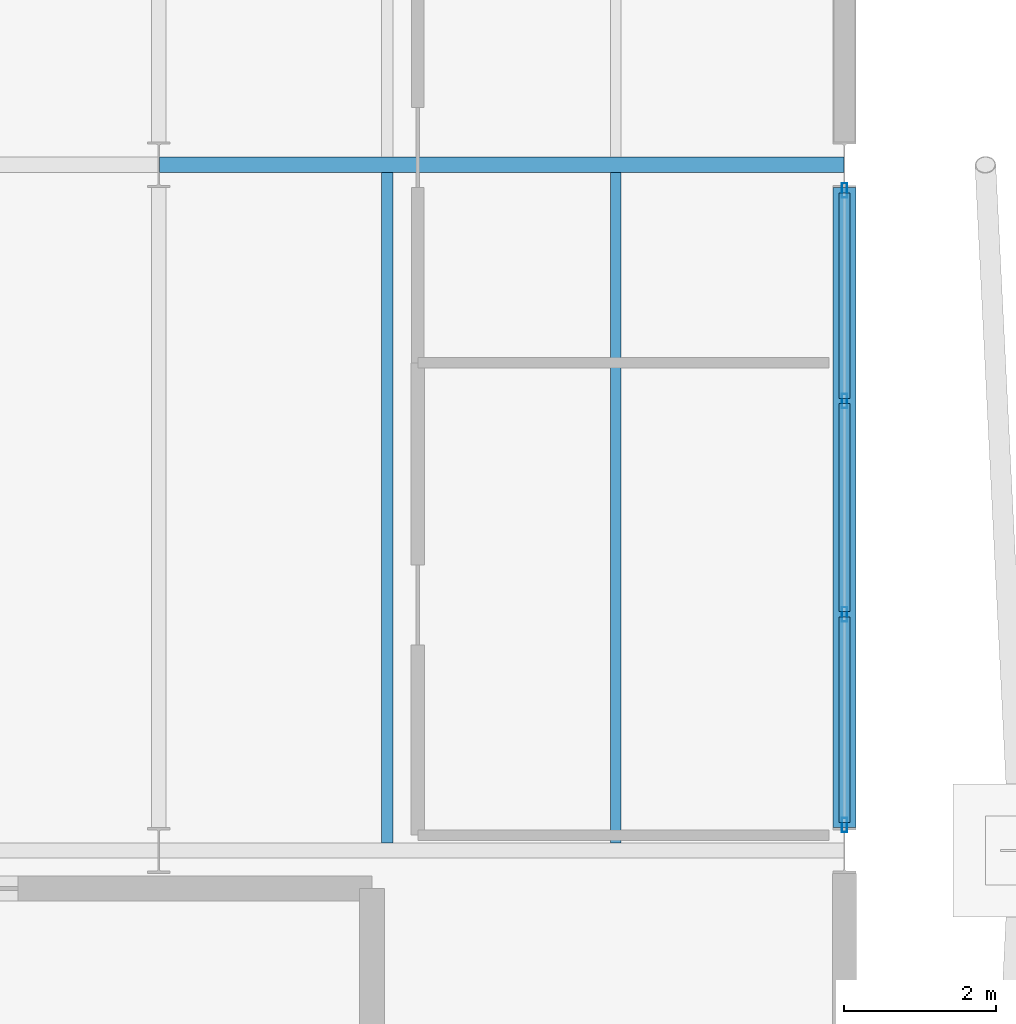
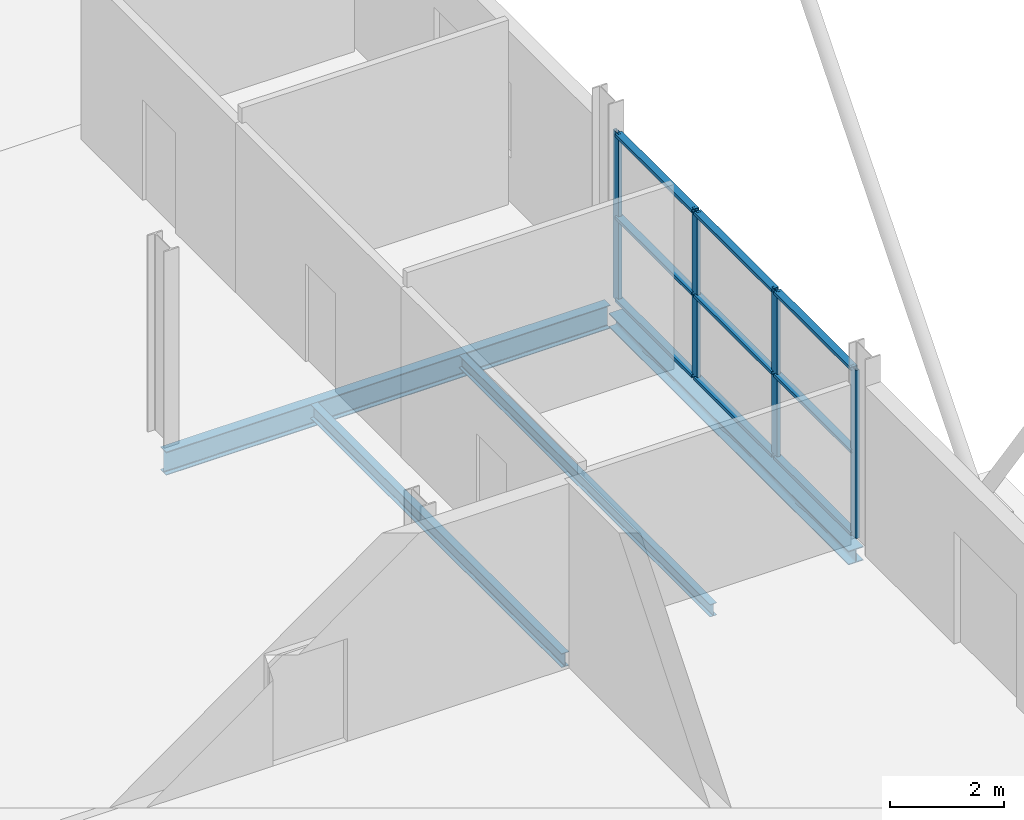
# One storey, part 89 of 140: 13 members, 4 beams, 1 element without a shape of its own.
"""IFC4 building model written with IfcOpenShell, lengths in metres."""

from ifc_helpers import new_model, si_unit, direction, frame, origin, origin_2d, place, context, subcontext, project, spatial, hollow_rectangle, i_section, extrude, material, layer, layer_set, material_profile, profile_set, type_object, element, aggregate, save


model = new_model("IFC4")

# Units and contexts
model_context = context("Model", 3, precision=1e-05, world=origin(), true_north=direction((0.0, 1.0)))
body_context = subcontext(model_context, "Body", "Model", "MODEL_VIEW")
ifc_project = project(units=[si_unit("LENGTHUNIT", "METRE"), si_unit("AREAUNIT", "SQUARE_METRE"), si_unit("VOLUMEUNIT", "CUBIC_METRE"), si_unit("PLANEANGLEUNIT", "RADIAN"), si_unit("MASSUNIT", "GRAM", prefix="KILO")], contexts=[model_context])

# Site, building, storey
site_placement = place(None, origin())
site = spatial("IfcSite", under=ifc_project, at=site_placement, CompositionType="ELEMENT")
building_placement = place(site_placement, origin())
building = spatial("IfcBuilding", under=site, at=building_placement, Name="Deido Ridge Mobility Hub", CompositionType="ELEMENT")
storey_placement = place(building_placement, origin())
storey = spatial("IfcBuildingStorey", under=building, at=storey_placement, Name="L00", CompositionType="ELEMENT", Elevation=0.0)

# Beams
ifc_material_1 = material(Name="Steel S355J2 EN 10025-2", Category="steel")
ifc_material_profile_1 = material_profile(ifc_material_1, i_section(OverallWidth=0.199951171875, OverallDepth=0.5, WebThickness=0.01025390625, FlangeThickness=0.01611328125, FilletRadius=0.02099609375, at=origin_2d()), Name="IPE 500")
ifc_profile_set_1 = profile_set([ifc_material_profile_1], Name="Steel S355J2 EN 10025-2")
beam_type_1 = type_object("IfcBeamType", Name="BM-IPE500", PredefinedType="BEAM", material=ifc_profile_set_1)
beam_1_placement = place(storey_placement, frame((171.0078125, 27.0, -0.510009765625), z_axis=(1.0, 0.0, 0.0), x_axis=(0.0, 1.0, 0.0)))
element("IfcBeam", 1, at=beam_1_placement, inside=storey, type_object=beam_type_1, Name="Floor beam B3", PredefinedType="BEAM", context=body_context, shape_type="SweptSolid", body=[
    extrude(i_section(OverallWidth=0.199951171875, OverallDepth=0.5, WebThickness=0.01025390625, FlangeThickness=0.01611328125, FilletRadius=0.02099609375, at=origin_2d()), origin(), (0.0, 0.0, 1.0), 8.984375),
])
ifc_material_profile_2 = material_profile(ifc_material_1, i_section(OverallWidth=0.135009765625, OverallDepth=0.27001953125, WebThickness=0.006591796875, FlangeThickness=0.01025390625, FilletRadius=0.014892578125, at=origin_2d()), Name="IPE 270")
ifc_profile_set_2 = profile_set([ifc_material_profile_2], Name="Steel S355J2 EN 10025-2")
beam_type_2 = type_object("IfcBeamType", Name="JST-IPE270", PredefinedType="JOIST", material=ifc_profile_set_2)
beam_2_placement = place(storey_placement, frame((177.0, 18.10009765625, -0.39501953125), z_axis=(0.0, 1.0, 0.0), x_axis=(-1.0, 0.0, 0.0)))
element("IfcBeam", 2, at=beam_2_placement, inside=storey, type_object=beam_type_2, Name="Composite joist J4", PredefinedType="JOIST", context=body_context, shape_type="SweptSolid", body=[
    extrude(i_section(OverallWidth=0.135009765625, OverallDepth=0.27001953125, WebThickness=0.006591796875, FlangeThickness=0.01025390625, FilletRadius=0.014892578125, at=origin_2d()), origin(), (0.0, 0.0, 1.0), 8.7998046875),
])
ifc_material_profile_3 = material_profile(ifc_material_1, i_section(OverallWidth=0.14990234375, OverallDepth=0.300048828125, WebThickness=0.007080078125, FlangeThickness=0.0107421875, FilletRadius=0.014892578125, at=origin_2d()), Name="IPE 300")
ifc_profile_set_3 = profile_set([ifc_material_profile_3], Name="Steel S355J2 EN 10025-2")
beam_type_3 = type_object("IfcBeamType", Name="JST-IPE300", PredefinedType="JOIST", material=ifc_profile_set_3)
beam_3_placement = place(storey_placement, frame((174.0, 18.10009765625, -0.409912109375), z_axis=(0.0, 1.0, 0.0), x_axis=(-1.0, 0.0, 0.0)))
element("IfcBeam", 3, at=beam_3_placement, inside=storey, type_object=beam_type_3, Name="Composite joist J3", PredefinedType="JOIST", context=body_context, shape_type="SweptSolid", body=[
    extrude(i_section(OverallWidth=0.14990234375, OverallDepth=0.300048828125, WebThickness=0.007080078125, FlangeThickness=0.0107421875, FilletRadius=0.014892578125, at=origin_2d()), origin(), (0.0, 0.0, 1.0), 8.7998046875),
])

# Curtain wall, members
ifc_material_2 = material(Name="Anodised aluminium EN AW-6063 T6", Category="aluminium")
ifc_layer = layer(ifc_material_2, 0.22509765625, Name="Anodised aluminium EN AW-6063 T6")
ifc_layer_set = layer_set([ifc_layer], Name="Anodised aluminium EN AW-6063 T6")
curtain_wall_type = type_object("IfcCurtainWallType", Name="CW-UF-5", PredefinedType="USERDEFINED", material=ifc_layer_set)
curtain_wall_placement = place(storey_placement, origin())
curtain_wall = element("IfcCurtainWall", 4, at=curtain_wall_placement, inside=storey, type_object=curtain_wall_type, Name="Unitised curtain wall CW5", ObjectType="UNITISED FACADE", PredefinedType="USERDEFINED")
ifc_material_profile_4 = material_profile(ifc_material_2, hollow_rectangle(XDim=0.070068359375, YDim=0.18994140625, WallThickness=0.00390625, at=origin_2d()), Name="RHS 70x190x4")
ifc_profile_set_4 = profile_set([ifc_material_profile_4], Name="Anodised aluminium EN AW-6063 T6")
member_type_1 = type_object("IfcMemberType", Name="MEM-MUL-70X190", PredefinedType="MULLION", material=ifc_profile_set_4)
member_1_placement = place(storey_placement, frame((180.0, 18.3349609375, 0.0), z_axis=(0.0, 0.0, 1.0), x_axis=(-1.0, 0.0, 0.0)))
member_1 = element("IfcMember", 5, at=member_1_placement, type_object=member_type_1, Name="CW5 mullion 1", PredefinedType="MULLION", context=body_context, shape_type="SweptSolid", body=[
    extrude(hollow_rectangle(XDim=0.070068359375, YDim=0.18994140625, WallThickness=0.00390625, at=origin_2d()), origin(), (0.0, 0.0, 1.0), 3.60009765625),
])
member_2_placement = place(storey_placement, frame((180.0, 21.10009765625, 0.0), z_axis=(0.0, 0.0, 1.0), x_axis=(-1.0, 0.0, 0.0)))
member_2 = element("IfcMember", 6, at=member_2_placement, type_object=member_type_1, Name="CW5 mullion 2", PredefinedType="MULLION", context=body_context, shape_type="SweptSolid", body=[
    extrude(hollow_rectangle(XDim=0.070068359375, YDim=0.18994140625, WallThickness=0.00390625, at=origin_2d()), origin(), (0.0, 0.0, 1.0), 3.60009765625),
])
member_3_placement = place(storey_placement, frame((180.0, 23.89990234375, 0.0), z_axis=(0.0, 0.0, 1.0), x_axis=(-1.0, 0.0, 0.0)))
member_3 = element("IfcMember", 7, at=member_3_placement, type_object=member_type_1, Name="CW5 mullion 3", PredefinedType="MULLION", context=body_context, shape_type="SweptSolid", body=[
    extrude(hollow_rectangle(XDim=0.070068359375, YDim=0.18994140625, WallThickness=0.00390625, at=origin_2d()), origin(), (0.0, 0.0, 1.0), 3.60009765625),
])
member_4_placement = place(storey_placement, frame((180.0, 26.6650390625, 0.0), z_axis=(0.0, 0.0, 1.0), x_axis=(-1.0, 0.0, 0.0)))
member_4 = element("IfcMember", 8, at=member_4_placement, type_object=member_type_1, Name="CW5 mullion 4", PredefinedType="MULLION", context=body_context, shape_type="SweptSolid", body=[
    extrude(hollow_rectangle(XDim=0.070068359375, YDim=0.18994140625, WallThickness=0.00390625, at=origin_2d()), origin(), (0.0, 0.0, 1.0), 3.60009765625),
])
ifc_material_profile_5 = material_profile(ifc_material_2, hollow_rectangle(XDim=0.14501953125, YDim=0.070068359375, WallThickness=0.00390625, at=origin_2d()), Name="RHS 145x70x4")
ifc_profile_set_5 = profile_set([ifc_material_profile_5], Name="Anodised aluminium EN AW-6063 T6")
member_type_2 = type_object("IfcMemberType", Name="MEM-TRN-145X70", PredefinedType="USERDEFINED", material=ifc_profile_set_5)
member_5_placement = place(storey_placement, frame((180.0, 18.3701171875, 0.034912109375), z_axis=(0.0, 1.0, 0.0), x_axis=(-1.0, 0.0, 0.0)))
member_5 = element("IfcMember", 9, at=member_5_placement, type_object=member_type_2, Name="CW5 transom 1.1", ObjectType="TRANSOM", PredefinedType="USERDEFINED", context=body_context, shape_type="SweptSolid", body=[
    extrude(hollow_rectangle(XDim=0.14501953125, YDim=0.070068359375, WallThickness=0.00390625, at=origin_2d()), origin(), (0.0, 0.0, 1.0), 2.69482421875),
])
member_6_placement = place(storey_placement, frame((180.0, 18.3701171875, 1.800048828125), z_axis=(0.0, 1.0, 0.0), x_axis=(-1.0, 0.0, 0.0)))
member_6 = element("IfcMember", 10, at=member_6_placement, type_object=member_type_2, Name="CW5 transom 1.2", ObjectType="TRANSOM", PredefinedType="USERDEFINED", context=body_context, shape_type="SweptSolid", body=[
    extrude(hollow_rectangle(XDim=0.14501953125, YDim=0.070068359375, WallThickness=0.00390625, at=origin_2d()), origin(), (0.0, 0.0, 1.0), 2.69482421875),
])
member_7_placement = place(storey_placement, frame((180.0, 18.3701171875, 3.56494140625), z_axis=(0.0, 1.0, 0.0), x_axis=(-1.0, 0.0, 0.0)))
member_7 = element("IfcMember", 11, at=member_7_placement, type_object=member_type_2, Name="CW5 transom 1.3", ObjectType="TRANSOM", PredefinedType="USERDEFINED", context=body_context, shape_type="SweptSolid", body=[
    extrude(hollow_rectangle(XDim=0.14501953125, YDim=0.070068359375, WallThickness=0.00390625, at=origin_2d()), origin(), (0.0, 0.0, 1.0), 2.69482421875),
])
member_8_placement = place(storey_placement, frame((180.0, 21.135009765625, 0.034912109375), z_axis=(0.0, 1.0, 0.0), x_axis=(-1.0, 0.0, 0.0)))
member_8 = element("IfcMember", 12, at=member_8_placement, type_object=member_type_2, Name="CW5 transom 2.1", ObjectType="TRANSOM", PredefinedType="USERDEFINED", context=body_context, shape_type="SweptSolid", body=[
    extrude(hollow_rectangle(XDim=0.14501953125, YDim=0.070068359375, WallThickness=0.00390625, at=origin_2d()), origin(), (0.0, 0.0, 1.0), 2.72998046875),
])
member_9_placement = place(storey_placement, frame((180.0, 21.135009765625, 1.800048828125), z_axis=(0.0, 1.0, 0.0), x_axis=(-1.0, 0.0, 0.0)))
member_9 = element("IfcMember", 13, at=member_9_placement, type_object=member_type_2, Name="CW5 transom 2.2", ObjectType="TRANSOM", PredefinedType="USERDEFINED", context=body_context, shape_type="SweptSolid", body=[
    extrude(hollow_rectangle(XDim=0.14501953125, YDim=0.070068359375, WallThickness=0.00390625, at=origin_2d()), origin(), (0.0, 0.0, 1.0), 2.72998046875),
])
member_10_placement = place(storey_placement, frame((180.0, 21.135009765625, 3.56494140625), z_axis=(0.0, 1.0, 0.0), x_axis=(-1.0, 0.0, 0.0)))
member_10 = element("IfcMember", 14, at=member_10_placement, type_object=member_type_2, Name="CW5 transom 2.3", ObjectType="TRANSOM", PredefinedType="USERDEFINED", context=body_context, shape_type="SweptSolid", body=[
    extrude(hollow_rectangle(XDim=0.14501953125, YDim=0.070068359375, WallThickness=0.00390625, at=origin_2d()), origin(), (0.0, 0.0, 1.0), 2.72998046875),
])
member_11_placement = place(storey_placement, frame((180.0, 23.93505859375, 0.034912109375), z_axis=(0.0, 1.0, 0.0), x_axis=(-1.0, 0.0, 0.0)))
member_11 = element("IfcMember", 15, at=member_11_placement, type_object=member_type_2, Name="CW5 transom 3.1", ObjectType="TRANSOM", PredefinedType="USERDEFINED", context=body_context, shape_type="SweptSolid", body=[
    extrude(hollow_rectangle(XDim=0.14501953125, YDim=0.070068359375, WallThickness=0.00390625, at=origin_2d()), origin(), (0.0, 0.0, 1.0), 2.69482421875),
])
member_12_placement = place(storey_placement, frame((180.0, 23.93505859375, 1.800048828125), z_axis=(0.0, 1.0, 0.0), x_axis=(-1.0, 0.0, 0.0)))
member_12 = element("IfcMember", 16, at=member_12_placement, type_object=member_type_2, Name="CW5 transom 3.2", ObjectType="TRANSOM", PredefinedType="USERDEFINED", context=body_context, shape_type="SweptSolid", body=[
    extrude(hollow_rectangle(XDim=0.14501953125, YDim=0.070068359375, WallThickness=0.00390625, at=origin_2d()), origin(), (0.0, 0.0, 1.0), 2.69482421875),
])
member_13_placement = place(storey_placement, frame((180.0, 23.93505859375, 3.56494140625), z_axis=(0.0, 1.0, 0.0), x_axis=(-1.0, 0.0, 0.0)))
member_13 = element("IfcMember", 17, at=member_13_placement, type_object=member_type_2, Name="CW5 transom 3.3", ObjectType="TRANSOM", PredefinedType="USERDEFINED", context=body_context, shape_type="SweptSolid", body=[
    extrude(hollow_rectangle(XDim=0.14501953125, YDim=0.070068359375, WallThickness=0.00390625, at=origin_2d()), origin(), (0.0, 0.0, 1.0), 2.69482421875),
])
aggregate(curtain_wall, [member_1, member_2, member_3, member_4, member_5, member_6, member_7, member_8, member_9, member_10, member_11, member_12, member_13])

# Beam
ifc_material_profile_6 = material_profile(ifc_material_1, i_section(OverallWidth=0.300048828125, OverallDepth=0.300048828125, WebThickness=0.010986328125, FlangeThickness=0.01904296875, FilletRadius=0.027099609375, at=origin_2d()), Name="HEB 300")
ifc_profile_set_6 = profile_set([ifc_material_profile_6], Name="Steel S355J2 EN 10025-2")
beam_type_4 = type_object("IfcBeamType", Name="SPD-HEB300", PredefinedType="SPANDREL", material=ifc_profile_set_6)
beam_4_placement = place(storey_placement, frame((180.0, 18.300048828125, -0.409912109375), z_axis=(0.0, 1.0, 0.0), x_axis=(-1.0, 0.0, 0.0)))
element("IfcBeam", 18, at=beam_4_placement, inside=storey, type_object=beam_type_4, Name="Floor beam SP1", PredefinedType="SPANDREL", context=body_context, shape_type="SweptSolid", body=[
    extrude(i_section(OverallWidth=0.300048828125, OverallDepth=0.300048828125, WebThickness=0.010986328125, FlangeThickness=0.01904296875, FilletRadius=0.027099609375, at=origin_2d()), origin(), (0.0, 0.0, 1.0), 8.39990234375),
])

save(model, "model.ifc")
